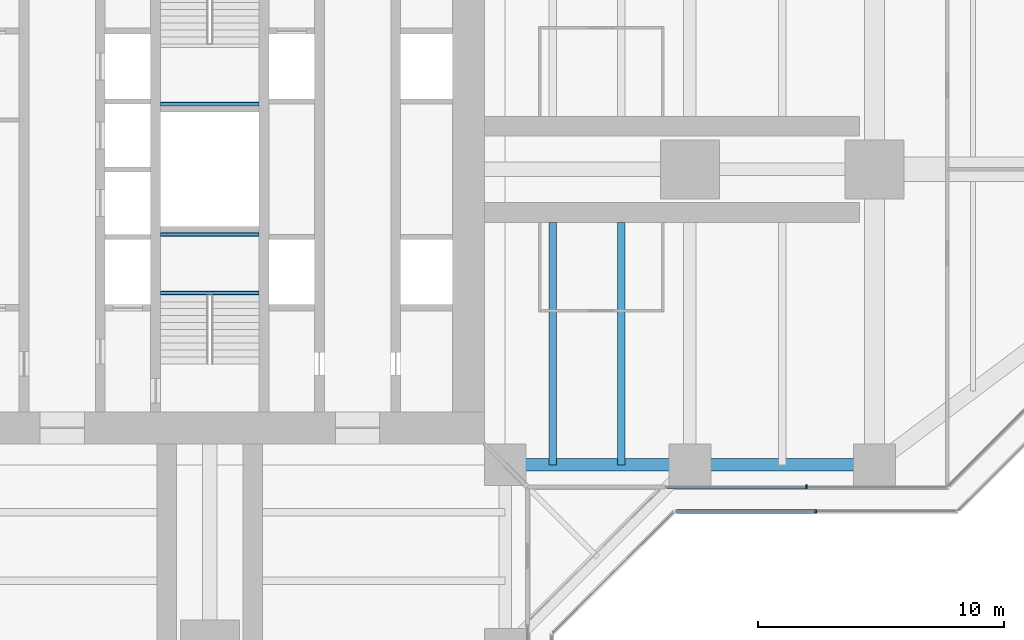
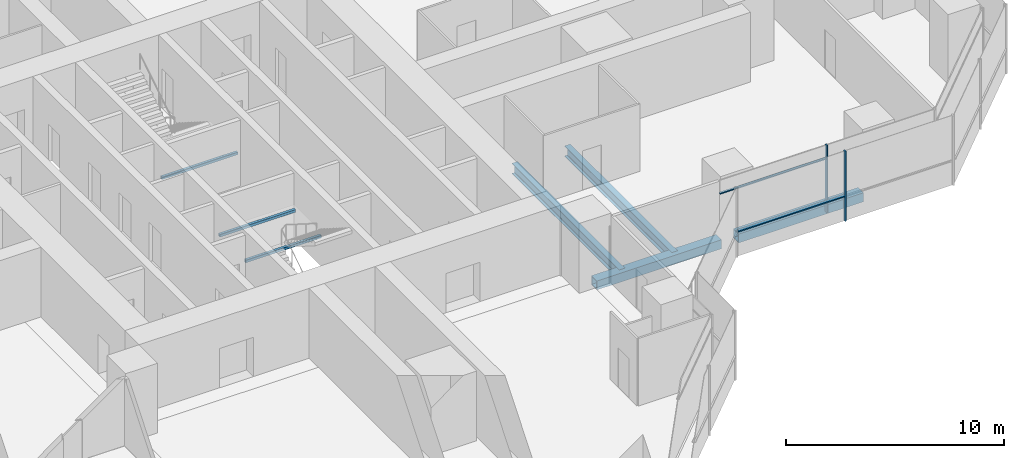
# One storey, part 5 of 19: 7 beams, 4 members, 2 elements without a shape of their own.
"""IFC4 building model written with IfcOpenShell, lengths in metres."""

from ifc_helpers import new_model, si_unit, direction, frame, origin, origin_2d, place, context, subcontext, project, spatial, rectangle, hollow_rectangle, i_section, extrude, material, material_profile, profile_set, type_object, element, aggregate, save


model = new_model("IFC4")

# Units and contexts
model_context = context("Model", 3, precision=1e-05, world=origin(), true_north=direction((0.0, 1.0)))
body_context = subcontext(model_context, "Body", "Model", "MODEL_VIEW")
ifc_project = project(units=[si_unit("LENGTHUNIT", "METRE"), si_unit("AREAUNIT", "SQUARE_METRE"), si_unit("VOLUMEUNIT", "CUBIC_METRE"), si_unit("PLANEANGLEUNIT", "RADIAN"), si_unit("MASSUNIT", "GRAM", prefix="KILO")], contexts=[model_context])

# Site, building, storey
site_placement = place(None, origin())
site = spatial("IfcSite", under=ifc_project, at=site_placement, CompositionType="ELEMENT")
building_placement = place(site_placement, origin())
building = spatial("IfcBuilding", under=site, at=building_placement, Name="Mizan Broadcast Tower", CompositionType="ELEMENT")
storey_placement = place(building_placement, frame((0.0, 0.0, 159.300048828125)))
storey = spatial("IfcBuildingStorey", under=building, at=storey_placement, Name="L36", CompositionType="ELEMENT", Elevation=159.300048828125)

# Beams
ifc_material_1 = material(Name="Steel S355", Category="steel")
ifc_material_profile_1 = material_profile(ifc_material_1, hollow_rectangle(XDim=0.5, YDim=0.5, WallThickness=0.030029296875, at=origin_2d()), Name="BOX 500x500x30")
ifc_profile_set_1 = profile_set([ifc_material_profile_1], Name="Steel S355")
beam_type_1 = type_object("IfcBeamType", Name="EDGE BEAM BOX 500x500x30", PredefinedType="SPANDREL", material=ifc_profile_set_1)
for number, where, z_axis, x_axis, name in (
    (1, (12.449951171875, -12.0, -0.380126953125), (1.0, 0.0, 0.0), (0.0, 1.0, 0.0), "Edge beam BOX 500x500x30 L36 east arm"),
    (2, (19.949951171875, -12.0, -0.380126953125), (1.0, 0.0, 0.0), (0.0, 1.0, 0.0), "Edge beam BOX 500x500x30 L36 east arm"),
):
    element("IfcBeam", number, at=place(storey_placement, frame(where, z_axis=z_axis, x_axis=x_axis)), inside=storey, type_object=beam_type_1, Name=name, PredefinedType="SPANDREL", context=body_context, shape_type="SweptSolid", body=[
        extrude(hollow_rectangle(XDim=0.5, YDim=0.5, WallThickness=0.030029296875, at=origin_2d()), origin(), (0.0, 0.0, 1.0), 6.60009765625),
    ])

# Curtain wall, members
ifc_material_2 = material(Name="Aluminium framed glazing", Category="aluminium")
curtain_wall_type_1 = type_object("IfcCurtainWallType", Name="INNER SKIN MID ZONE", PredefinedType="USERDEFINED", material=ifc_material_2)
curtain_wall_1_placement = place(storey_placement, origin())
curtain_wall_1 = element("IfcCurtainWall", 3, at=curtain_wall_1_placement, inside=storey, type_object=curtain_wall_type_1, Name="Inner skin mid zone L36 E side", ObjectType="INNER SKIN MID ZONE", PredefinedType="USERDEFINED")
ifc_material_3 = material(Name="Aluminium, pale anodised", Category="aluminium")
ifc_material_profile_2 = material_profile(ifc_material_3, rectangle(XDim=0.159912109375, YDim=0.06005859375, at=origin_2d()), Name="MULLION 160x60")
ifc_profile_set_2 = profile_set([ifc_material_profile_2], Name="Aluminium, pale anodised")
member_type_1 = type_object("IfcMemberType", Name="INNER SKIN MULLION 60x160", PredefinedType="MULLION", material=ifc_profile_set_2)
member_1_placement = place(storey_placement, frame((24.229248046875, -12.89990234375, 0.0), z_axis=(0.0, 0.0, 1.0), x_axis=(0.0, 1.0, 0.0)))
member_1 = element("IfcMember", 4, at=member_1_placement, type_object=member_type_1, Name="Inner skin mid zone L36 E side mullion 2", PredefinedType="MULLION", context=body_context, shape_type="SweptSolid", body=[
    extrude(rectangle(XDim=0.159912109375, YDim=0.06005859375, at=origin_2d()), origin(), (0.0, 0.0, 1.0), 3.77001953125),
])
ifc_material_4 = material(Name="Aluminium, pale anodised", Category="aluminium")
ifc_material_profile_3 = material_profile(ifc_material_4, rectangle(XDim=0.1201171875, YDim=0.06005859375, at=origin_2d()), Name="TRANSOM 120x60")
ifc_profile_set_3 = profile_set([ifc_material_profile_3], Name="Aluminium, pale anodised")
member_type_2 = type_object("IfcMemberType", Name="INNER SKIN TRANSOM 60x120", PredefinedType="USERDEFINED", material=ifc_profile_set_3)
member_2_placement = place(storey_placement, frame((18.56005859375, -12.89990234375, 3.030029296875), z_axis=(1.0, 0.0, 0.0), x_axis=(0.0, 1.0, 0.0)))
member_2 = element("IfcMember", 5, at=member_2_placement, type_object=member_type_2, Name="Inner skin mid zone L36 E side transom 1.1", ObjectType="TRANSOM", PredefinedType="USERDEFINED", context=body_context, shape_type="SweptSolid", body=[
    extrude(rectangle(XDim=0.1201171875, YDim=0.06005859375, at=origin_2d()), origin(), (0.0, 0.0, 1.0), 5.63916015625),
])
aggregate(curtain_wall_1, [member_1, member_2])

# Beams
ifc_material_5 = material(Name="Steel S355", Category="steel")
ifc_material_profile_4 = material_profile(ifc_material_5, hollow_rectangle(XDim=0.14990234375, YDim=0.14990234375, WallThickness=0.008056640625, InnerFilletRadius=0.008056640625, OuterFilletRadius=0.011962890625, at=origin_2d()), Name="SHS 150x150x8")
ifc_profile_set_4 = profile_set([ifc_material_profile_4], Name="Steel S355")
beam_type_2 = type_object("IfcBeamType", Name="LANDING TRIMMER SHS 150x150x8", PredefinedType="BEAM", material=ifc_profile_set_4)
for number, where, z_axis, x_axis, name in (
    (6, (-2.0, -5.02490234375, 1.675048828125), (1.0, 0.0, 0.0), (0.0, 1.0, 0.0), "Stair A landing trimmer L36"),
    (7, (-2.0, -2.64990234375, 1.675048828125), (1.0, 0.0, 0.0), (0.0, 1.0, 0.0), "Stair A landing trimmer L36"),
    (8, (2.0, 2.64990234375, 1.675048828125), (-1.0, 0.0, 0.0), (0.0, -1.0, 0.0), "Stair B landing trimmer L36"),
):
    element("IfcBeam", number, at=place(storey_placement, frame(where, z_axis=z_axis, x_axis=x_axis)), inside=storey, type_object=beam_type_2, Name=name, PredefinedType="BEAM", context=body_context, shape_type="SweptSolid", body=[
        extrude(hollow_rectangle(XDim=0.14990234375, YDim=0.14990234375, WallThickness=0.008056640625, InnerFilletRadius=0.008056640625, OuterFilletRadius=0.011962890625, at=origin_2d()), origin(), (0.0, 0.0, 1.0), 4.0),
    ])

# Curtain wall, members
ifc_material_6 = material(Name="Aluminium framed glazing", Category="aluminium")
curtain_wall_type_2 = type_object("IfcCurtainWallType", Name="OUTER SKIN", PredefinedType="USERDEFINED", material=ifc_material_6)
curtain_wall_2_placement = place(storey_placement, origin())
curtain_wall_2 = element("IfcCurtainWall", 9, at=curtain_wall_2_placement, inside=storey, type_object=curtain_wall_type_2, Name="Outer skin L36 E side", ObjectType="OUTER SKIN", PredefinedType="USERDEFINED")
ifc_material_7 = material(Name="Aluminium, pale anodised", Category="aluminium")
ifc_material_profile_5 = material_profile(ifc_material_7, rectangle(XDim=0.159912109375, YDim=0.080078125, at=origin_2d()), Name="MULLION 160x80")
ifc_profile_set_5 = profile_set([ifc_material_profile_5], Name="Aluminium, pale anodised")
member_type_3 = type_object("IfcMemberType", Name="OUTER SKIN MULLION 80x160", PredefinedType="MULLION", material=ifc_profile_set_5)
member_3_placement = place(storey_placement, frame((24.622802734375, -13.89990234375, 0.0), z_axis=(0.0, 0.0, 1.0), x_axis=(0.0, 1.0, 0.0)))
member_3 = element("IfcMember", 10, at=member_3_placement, type_object=member_type_3, Name="Outer skin L36 E side mullion 2", PredefinedType="MULLION", context=body_context, shape_type="SweptSolid", body=[
    extrude(rectangle(XDim=0.159912109375, YDim=0.080078125, at=origin_2d()), origin(), (0.0, 0.0, 1.0), 3.89990234375),
])
ifc_material_8 = material(Name="Aluminium, pale anodised", Category="aluminium")
ifc_material_profile_6 = material_profile(ifc_material_8, rectangle(XDim=0.159912109375, YDim=0.06005859375, at=origin_2d()), Name="TRANSOM 160x60")
ifc_profile_set_6 = profile_set([ifc_material_profile_6], Name="Aluminium, pale anodised")
member_type_4 = type_object("IfcMemberType", Name="OUTER SKIN TRANSOM 60x160", PredefinedType="USERDEFINED", material=ifc_profile_set_6)
member_4_placement = place(storey_placement, frame((18.952880859375, -13.89990234375, 1.39990234375), z_axis=(1.0, 0.0, 0.0), x_axis=(0.0, 1.0, 0.0)))
member_4 = element("IfcMember", 11, at=member_4_placement, type_object=member_type_4, Name="Outer skin L36 E side transom 1.1", ObjectType="TRANSOM", PredefinedType="USERDEFINED", context=body_context, shape_type="SweptSolid", body=[
    extrude(rectangle(XDim=0.159912109375, YDim=0.06005859375, at=origin_2d()), origin(), (0.0, 0.0, 1.0), 5.6298828125),
])
aggregate(curtain_wall_2, [member_3, member_4])

# Beams
ifc_material_9 = material(Name="Steel S355", Category="steel")
ifc_material_profile_7 = material_profile(ifc_material_9, i_section(OverallWidth=0.300048828125, OverallDepth=0.590087890625, WebThickness=0.012939453125, FlangeThickness=0.02490234375, FilletRadius=0.027099609375, at=origin_2d()), Name="HEA 600")
ifc_profile_set_7 = profile_set([ifc_material_profile_7], Name="Steel S355")
beam_type_3 = type_object("IfcBeamType", Name="SECONDARY BEAM HEA 600", PredefinedType="JOIST", material=ifc_profile_set_7)
for number, where, z_axis, x_axis, name in (
    (12, (13.933349609375, -12.0, -0.425048828125), (0.0, 1.0, 0.0), (-1.0, 0.0, 0.0), "Secondary beam HEA 600 L36 east arm"),
    (13, (16.716552734375, -12.0, -0.425048828125), (0.0, 1.0, 0.0), (-1.0, 0.0, 0.0), "Secondary beam HEA 600 L36 east arm"),
):
    element("IfcBeam", number, at=place(storey_placement, frame(where, z_axis=z_axis, x_axis=x_axis)), inside=storey, type_object=beam_type_3, Name=name, PredefinedType="JOIST", context=body_context, shape_type="SweptSolid", body=[
        extrude(i_section(OverallWidth=0.300048828125, OverallDepth=0.590087890625, WebThickness=0.012939453125, FlangeThickness=0.02490234375, FilletRadius=0.027099609375, at=origin_2d()), origin(), (0.0, 0.0, 1.0), 9.85009765625),
    ])

save(model, "model.ifc")
